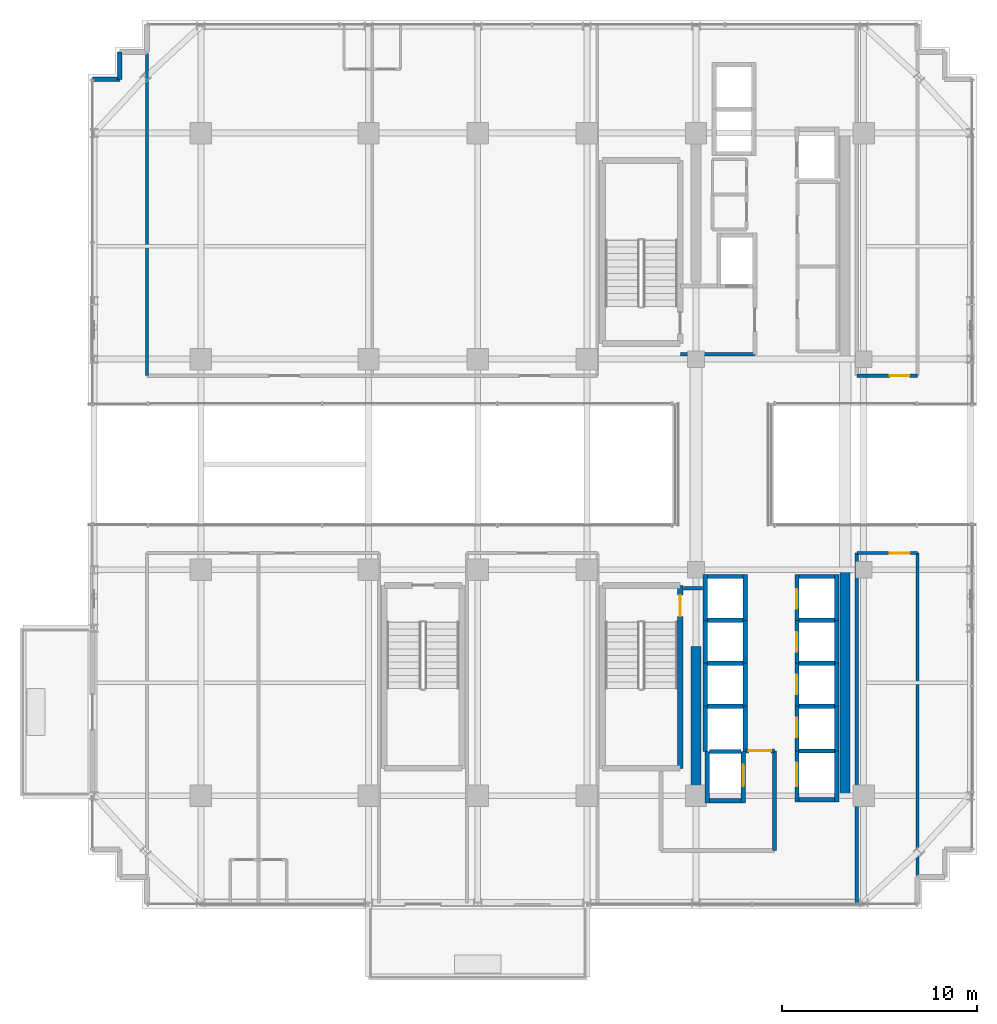
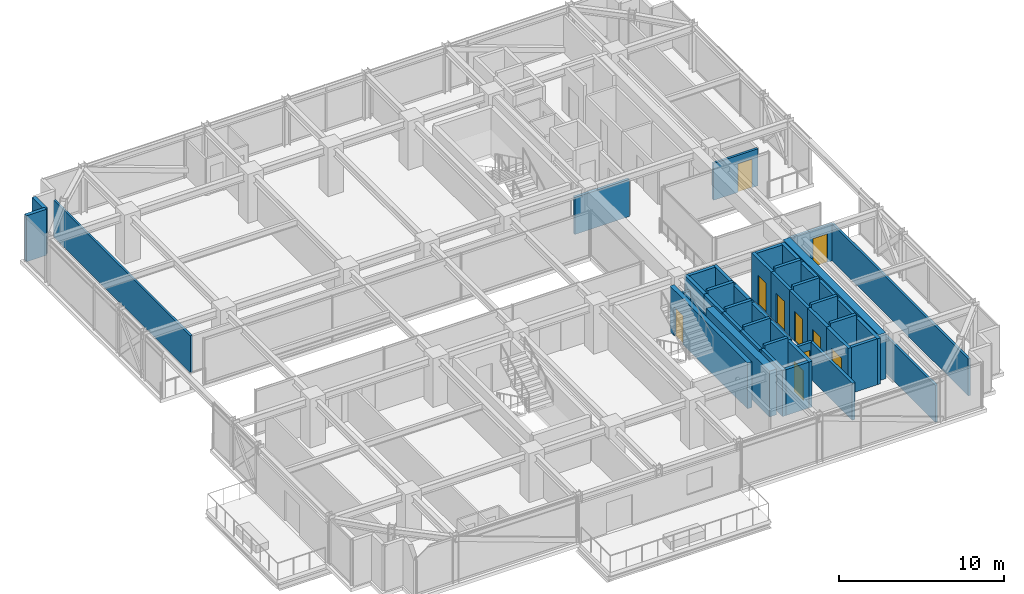
# One storey, part 29 of 35: 46 walls, 10 doors, 10 openings.
"""IFC4 building model written with IfcOpenShell, lengths in metres."""

from ifc_helpers import new_model, si_unit, direction, frame, frame_2d, origin, place, context, subcontext, project, spatial, rectangle, extrude, source, transform, mapped, material, layer, layer_set, type_object, element, fill, save


model = new_model("IFC4")

# Units and contexts
model_context = context("Model", 3, precision=1e-05, world=origin(), true_north=direction((0.0, 1.0)))
body_context = subcontext(model_context, "Body", "Model", "MODEL_VIEW")
ifc_project = project(units=[si_unit("LENGTHUNIT", "METRE"), si_unit("AREAUNIT", "SQUARE_METRE"), si_unit("VOLUMEUNIT", "CUBIC_METRE"), si_unit("PLANEANGLEUNIT", "RADIAN"), si_unit("MASSUNIT", "GRAM", prefix="KILO")], contexts=[model_context])

# Site, building, storey
site_placement = place(None, origin())
site = spatial("IfcSite", under=ifc_project, at=site_placement, CompositionType="ELEMENT")
building_placement = place(site_placement, origin())
building = spatial("IfcBuilding", under=site, at=building_placement, Name="Nahalor Promenade Grand Hotel", CompositionType="ELEMENT")
storey_placement = place(building_placement, frame((0.0, 0.0, 185.5)))
storey = spatial("IfcBuildingStorey", under=building, at=storey_placement, Name="L47", CompositionType="ELEMENT", Elevation=185.5)

# Walls
ifc_material_1 = material(Name="Concrete B-60 (C50/60)", Category="concrete")
ifc_layer_1 = layer(ifc_material_1, 0.5)
ifc_layer_set_1 = layer_set([ifc_layer_1], Name="Concrete B-60 (C50/60)")
wall_type_1 = type_object("IfcWallType", Name="Wall-CoreShear-500", PredefinedType="SHEAR", material=ifc_layer_set_1)
shared_shape_1 = source(origin(), body_context, "Body", "SweptSolid", [
    extrude(rectangle(XDim=7.64990234375, YDim=0.5, at=frame_2d((3.824951171875, 0.0))), origin(), (0.0, 0.0, 1.0), 3.389892578125),
])
wall_1_placement = place(storey_placement, frame((8.39990234375, -17.0, 0.0), z_axis=(0.0, 0.0, 1.0), x_axis=(0.0, 1.0, 0.0)))
element("IfcWall", 1, at=wall_1_placement, inside=storey, type_object=wall_type_1, Name="CWALL-L47-SW", PredefinedType="SHEAR", context=body_context, shape_type="MappedRepresentation", body=[
    mapped(shared_shape_1, transform((0.0, 0.0, 0.0), scale=1.0)),
])
shared_shape_2 = source(origin(), body_context, "Body", "SweptSolid", [
    extrude(rectangle(XDim=11.60009765625, YDim=0.5, at=frame_2d((5.800048828125, 0.0))), origin(), (0.0, 0.0, 1.0), 3.389892578125),
])
wall_2_placement = place(storey_placement, frame((16.050048828125, -17.0, 0.0), z_axis=(0.0, 0.0, 1.0), x_axis=(0.0, 1.0, 0.0)))
element("IfcWall", 2, at=wall_2_placement, inside=storey, type_object=wall_type_1, Name="CWALL-L47-SE", PredefinedType="SHEAR", context=body_context, shape_type="MappedRepresentation", body=[
    mapped(shared_shape_2, transform((0.0, 0.0, 0.0), scale=1.0)),
])

# Wall, opening, door
ifc_material_2 = material(Name="Concrete B-50 (C40/50)", Category="concrete")
ifc_layer_2 = layer(ifc_material_2, 0.300048828125)
ifc_layer_set_2 = layer_set([ifc_layer_2], Name="Concrete B-50 (C40/50)")
wall_type_2 = type_object("IfcWallType", Name="Wall-ShaftShear-300", PredefinedType="SHEAR", material=ifc_layer_set_2)
shared_shape_3 = source(origin(), body_context, "Body", "SweptSolid", [
    extrude(rectangle(XDim=9.380126953125, YDim=0.300048828125, at=frame_2d((4.68994140625, 0.0))), origin(), (0.0, 0.0, 1.0), 3.389892578125),
])
wall_3_placement = place(storey_placement, frame((7.590087890625, -15.590087890625, 0.0), z_axis=(0.0, 0.0, 1.0), x_axis=(0.0, 1.0, 0.0)))
wall_3 = element("IfcWall", 3, at=wall_3_placement, inside=storey, type_object=wall_type_2, Name="L47 Exit Stair ST2 Shaft Wall E", PredefinedType="SHEAR", context=body_context, shape_type="MappedRepresentation", body=[
    mapped(shared_shape_3, transform((0.0, 0.0, 0.0), scale=1.0)),
])
opening_1_placement = place(wall_3_placement, frame((7.7900390625, 0.0, 0.0)))
opening_1 = element("IfcOpeningElement", 4, at=opening_1_placement, cuts=wall_3, Name="Opening D-ST1", PredefinedType="OPENING", context=body_context, shape_type="SweptSolid", body=[
    extrude(rectangle(XDim=1.10009765625, YDim=2.14990234375, at=frame_2d((0.550048828125, 1.074951171875))), frame((0.0, 0.159912109375, 0.0), z_axis=(0.0, -1.0, 0.0), x_axis=(1.0, 0.0, 0.0)), (0.0, 0.0, 1.0), 0.320068359375),
])
ifc_material_3 = material(Name="Steel S355JR", Category="steel")
door_type_1 = type_object("IfcDoorType", Name="Door-StairFire-1100", OperationType="NOTDEFINED", PredefinedType="DOOR", material=ifc_material_3)
shared_shape_4 = source(origin(), body_context, "Body", "SweptSolid", [
    extrude(rectangle(XDim=1.10009765625, YDim=2.14990234375, at=frame_2d((0.550048828125, 1.074951171875))), frame((0.0, 0.02490234375, 0.0), z_axis=(0.0, -1.0, 0.0), x_axis=(1.0, 0.0, 0.0)), (0.0, 0.0, 1.0), 0.050048828125),
])
door_1_placement = place(opening_1_placement, origin())
door_1 = element("IfcDoor", 5, at=door_1_placement, inside=storey, type_object=door_type_1, Name="DR-STAIR-ST2-L47", OperationType="SINGLE_SWING_RIGHT", OverallHeight=2.14990234375, OverallWidth=1.10009765625, PredefinedType="DOOR", context=body_context, shape_type="MappedRepresentation", body=[
    mapped(shared_shape_4, transform((0.0, 0.0, 0.0), scale=1.0)),
])
fill(opening_1, door_1)

# Walls
ifc_layer_3 = layer(ifc_material_2, 0.219970703125)
ifc_layer_set_3 = layer_set([ifc_layer_3], Name="Concrete B-50 (C40/50)")
wall_type_3 = type_object("IfcWallType", Name="Wall-LiftShaft-220", PredefinedType="SHEAR", material=ifc_layer_set_3)
shared_shape_5 = source(origin(), body_context, "Body", "SweptSolid", [
    extrude(rectangle(XDim=1.820068359375, YDim=0.219970703125, at=frame_2d((0.91015625, 0.0))), origin(), (0.0, 0.0, 1.0), 3.64990234375),
])
for number, where, z_axis, x_axis, name in (
    (6, (13.68994140625, -8.0, 0.0), (0.0, 0.0, 1.0), (1.0, 0.0, 0.0), "L47 Lift PL6 Hoistway Wall N"),
    (7, (13.68994140625, -10.199951171875, 0.0), (0.0, 0.0, 1.0), (1.0, 0.0, 0.0), "L47 Lift PL7 Hoistway Wall N"),
    (8, (13.68994140625, -12.39990234375, 0.0), (0.0, 0.0, 1.0), (1.0, 0.0, 0.0), "L47 Lift PL8 Hoistway Wall N"),
    (9, (8.989990234375, -8.0, 0.0), (0.0, 0.0, 1.0), (1.0, 0.0, 0.0), "L47 Lift PL10 Hoistway Wall N"),
    (10, (8.989990234375, -10.199951171875, 0.0), (0.0, 0.0, 1.0), (1.0, 0.0, 0.0), "L47 Lift PL11 Hoistway Wall N"),
    (11, (8.989990234375, -12.39990234375, 0.0), (0.0, 0.0, 1.0), (1.0, 0.0, 0.0), "L47 Lift PL12 Hoistway Wall N"),
    (12, (13.68994140625, -14.699951171875, 0.0), (0.0, 0.0, 1.0), (1.0, 0.0, 0.0), "L47 Lift SV2 Hoistway Wall N"),
):
    element("IfcWall", number, at=place(storey_placement, frame(where, z_axis=z_axis, x_axis=x_axis)), inside=storey, type_object=wall_type_3, Name=name, PredefinedType="SHEAR", context=body_context, shape_type="MappedRepresentation", body=[
        mapped(shared_shape_5, transform((0.0, 0.0, 0.0), scale=1.0)),
    ])

# Wall, opening, door
shared_shape_6 = source(origin(), body_context, "Body", "SweptSolid", [
    extrude(rectangle(XDim=2.360107421875, YDim=0.219970703125, at=frame_2d((1.18017578125, 0.0))), origin(), (0.0, 0.0, 1.0), 3.389892578125),
])
wall_4_placement = place(storey_placement, frame((13.580078125, -8.0, 0.0), z_axis=(0.0, 0.0, 1.0), x_axis=(0.0, 1.0, 0.0)))
wall_4 = element("IfcWall", 13, at=wall_4_placement, inside=storey, type_object=wall_type_3, Name="L47 Lift PL5 Hoistway Wall W", PredefinedType="SHEAR", context=body_context, shape_type="MappedRepresentation", body=[
    mapped(shared_shape_6, transform((0.0, 0.0, 0.0), scale=1.0)),
])
opening_2_placement = place(wall_4_placement, frame((0.60009765625, 0.0, 0.0)))
opening_2 = element("IfcOpeningElement", 14, at=opening_2_placement, cuts=wall_4, Name="Opening LD-01", PredefinedType="OPENING", context=body_context, shape_type="SweptSolid", body=[
    extrude(rectangle(XDim=1.0, YDim=2.199951171875, at=frame_2d((0.5, 1.10009765625))), frame((0.0, 0.119873046875, 0.0), z_axis=(0.0, -1.0, 0.0), x_axis=(1.0, 0.0, 0.0)), (0.0, 0.0, 1.0), 0.239990234375),
])
door_type_2 = type_object("IfcDoorType", Name="Door-LiftLanding-1000", OperationType="DOUBLE_DOOR_SLIDING", PredefinedType="DOOR", material=ifc_material_3)
shared_shape_7 = source(origin(), body_context, "Body", "SweptSolid", [
    extrude(rectangle(XDim=1.0, YDim=2.199951171875, at=frame_2d((0.5, 1.10009765625))), frame((0.0, 0.02490234375, 0.0), z_axis=(0.0, -1.0, 0.0), x_axis=(1.0, 0.0, 0.0)), (0.0, 0.0, 1.0), 0.050048828125),
])
door_2_placement = place(opening_2_placement, origin())
door_2 = element("IfcDoor", 15, at=door_2_placement, inside=storey, type_object=door_type_2, Name="DR-LIFT-PL5-L47", OperationType="DOUBLE_DOOR_SLIDING", OverallHeight=2.199951171875, OverallWidth=1.0, PredefinedType="DOOR", context=body_context, shape_type="MappedRepresentation", body=[
    mapped(shared_shape_7, transform((0.0, 0.0, 0.0), scale=1.0)),
])
fill(opening_2, door_2)

# Walls
for number, where, z_axis, x_axis, name in (
    (16, (15.6201171875, -8.0, 0.0), (0.0, 0.0, 1.0), (0.0, 1.0, 0.0), "L47 Lift PL5 Hoistway Wall E"),
    (17, (8.8798828125, -8.0, 0.0), (0.0, 0.0, 1.0), (0.0, 1.0, 0.0), "L47 Lift PL9 Hoistway Wall W"),
    (18, (10.919921875, -8.0, 0.0), (0.0, 0.0, 1.0), (0.0, 1.0, 0.0), "L47 Lift PL9 Hoistway Wall E"),
):
    element("IfcWall", number, at=place(storey_placement, frame(where, z_axis=z_axis, x_axis=x_axis)), inside=storey, type_object=wall_type_3, Name=name, PredefinedType="SHEAR", context=body_context, shape_type="MappedRepresentation", body=[
        mapped(shared_shape_6, transform((0.0, 0.0, 0.0), scale=1.0)),
    ])
shared_shape_8 = source(origin(), body_context, "Body", "SweptSolid", [
    extrude(rectangle(XDim=1.820068359375, YDim=0.219970703125, at=frame_2d((0.91015625, 0.0))), origin(), (0.0, 0.0, 1.0), 3.389892578125),
])
for number, where, z_axis, x_axis, name in (
    (19, (13.68994140625, -5.75, 0.0), (0.0, 0.0, 1.0), (1.0, 0.0, 0.0), "L47 Lift PL5 Hoistway Wall N"),
    (20, (8.989990234375, -5.75, 0.0), (0.0, 0.0, 1.0), (1.0, 0.0, 0.0), "L47 Lift PL9 Hoistway Wall N"),
    (21, (13.68994140625, -17.199951171875, 0.0), (0.0, 0.0, 1.0), (1.0, 0.0, 0.0), "L47 Lift SV2 Hoistway Wall S"),
):
    element("IfcWall", number, at=place(storey_placement, frame(where, z_axis=z_axis, x_axis=x_axis)), inside=storey, type_object=wall_type_3, Name=name, PredefinedType="SHEAR", context=body_context, shape_type="MappedRepresentation", body=[
        mapped(shared_shape_8, transform((0.0, 0.0, 0.0), scale=1.0)),
    ])

# Wall, opening, door
shared_shape_9 = source(origin(), body_context, "Body", "SweptSolid", [
    extrude(rectangle(XDim=2.199951171875, YDim=0.219970703125, at=frame_2d((1.10009765625, 0.0))), origin(), (0.0, 0.0, 1.0), 3.389892578125),
])
wall_5_placement = place(storey_placement, frame((13.580078125, -10.199951171875, 0.0), z_axis=(0.0, 0.0, 1.0), x_axis=(0.0, 1.0, 0.0)))
wall_5 = element("IfcWall", 22, at=wall_5_placement, inside=storey, type_object=wall_type_3, Name="L47 Lift PL6 Hoistway Wall W", PredefinedType="SHEAR", context=body_context, shape_type="MappedRepresentation", body=[
    mapped(shared_shape_9, transform((0.0, 0.0, 0.0), scale=1.0)),
])
opening_3_placement = place(wall_5_placement, frame((0.60009765625, 0.0, 0.0)))
opening_3 = element("IfcOpeningElement", 23, at=opening_3_placement, cuts=wall_5, Name="Opening LD-01", PredefinedType="OPENING", context=body_context, shape_type="SweptSolid", body=[
    extrude(rectangle(XDim=1.0, YDim=2.199951171875, at=frame_2d((0.5, 1.10009765625))), frame((0.0, 0.119873046875, 0.0), z_axis=(0.0, -1.0, 0.0), x_axis=(1.0, 0.0, 0.0)), (0.0, 0.0, 1.0), 0.239990234375),
])
door_3_placement = place(opening_3_placement, origin())
door_3 = element("IfcDoor", 24, at=door_3_placement, inside=storey, type_object=door_type_2, Name="DR-LIFT-PL6-L47", OperationType="DOUBLE_DOOR_SLIDING", OverallHeight=2.199951171875, OverallWidth=1.0, PredefinedType="DOOR", context=body_context, shape_type="MappedRepresentation", body=[
    mapped(shared_shape_7, transform((0.0, 0.0, 0.0), scale=1.0)),
])
fill(opening_3, door_3)

# Wall
wall_6_placement = place(storey_placement, frame((15.6201171875, -10.199951171875, 0.0), z_axis=(0.0, 0.0, 1.0), x_axis=(0.0, 1.0, 0.0)))
element("IfcWall", 25, at=wall_6_placement, inside=storey, type_object=wall_type_3, Name="L47 Lift PL6 Hoistway Wall E", PredefinedType="SHEAR", context=body_context, shape_type="MappedRepresentation", body=[
    mapped(shared_shape_9, transform((0.0, 0.0, 0.0), scale=1.0)),
])

# Wall, opening, door
wall_7_placement = place(storey_placement, frame((13.580078125, -12.39990234375, 0.0), z_axis=(0.0, 0.0, 1.0), x_axis=(0.0, 1.0, 0.0)))
wall_7 = element("IfcWall", 26, at=wall_7_placement, inside=storey, type_object=wall_type_3, Name="L47 Lift PL7 Hoistway Wall W", PredefinedType="SHEAR", context=body_context, shape_type="MappedRepresentation", body=[
    mapped(shared_shape_9, transform((0.0, 0.0, 0.0), scale=1.0)),
])
opening_4_placement = place(wall_7_placement, frame((0.60009765625, 0.0, 0.0)))
opening_4 = element("IfcOpeningElement", 27, at=opening_4_placement, cuts=wall_7, Name="Opening LD-01", PredefinedType="OPENING", context=body_context, shape_type="SweptSolid", body=[
    extrude(rectangle(XDim=1.0, YDim=2.199951171875, at=frame_2d((0.5, 1.10009765625))), frame((0.0, 0.119873046875, 0.0), z_axis=(0.0, -1.0, 0.0), x_axis=(1.0, 0.0, 0.0)), (0.0, 0.0, 1.0), 0.239990234375),
])
door_4_placement = place(opening_4_placement, origin())
door_4 = element("IfcDoor", 28, at=door_4_placement, inside=storey, type_object=door_type_2, Name="DR-LIFT-PL7-L47", OperationType="DOUBLE_DOOR_SLIDING", OverallHeight=2.199951171875, OverallWidth=1.0, PredefinedType="DOOR", context=body_context, shape_type="MappedRepresentation", body=[
    mapped(shared_shape_7, transform((0.0, 0.0, 0.0), scale=1.0)),
])
fill(opening_4, door_4)

# Walls
for number, where, z_axis, x_axis, name in (
    (29, (15.6201171875, -12.39990234375, 0.0), (0.0, 0.0, 1.0), (0.0, 1.0, 0.0), "L47 Lift PL7 Hoistway Wall E"),
    (30, (8.8798828125, -10.199951171875, 0.0), (0.0, 0.0, 1.0), (0.0, 1.0, 0.0), "L47 Lift PL10 Hoistway Wall W"),
    (31, (10.919921875, -10.199951171875, 0.0), (0.0, 0.0, 1.0), (0.0, 1.0, 0.0), "L47 Lift PL10 Hoistway Wall E"),
    (32, (8.8798828125, -12.39990234375, 0.0), (0.0, 0.0, 1.0), (0.0, 1.0, 0.0), "L47 Lift PL11 Hoistway Wall W"),
    (33, (10.919921875, -12.39990234375, 0.0), (0.0, 0.0, 1.0), (0.0, 1.0, 0.0), "L47 Lift PL11 Hoistway Wall E"),
):
    element("IfcWall", number, at=place(storey_placement, frame(where, z_axis=z_axis, x_axis=x_axis)), inside=storey, type_object=wall_type_3, Name=name, PredefinedType="SHEAR", context=body_context, shape_type="MappedRepresentation", body=[
        mapped(shared_shape_9, transform((0.0, 0.0, 0.0), scale=1.0)),
    ])

# Wall, opening, door
shared_shape_10 = source(origin(), body_context, "Body", "SweptSolid", [
    extrude(rectangle(XDim=2.300048828125, YDim=0.219970703125, at=frame_2d((1.14990234375, 0.0))), origin(), (0.0, 0.0, 1.0), 3.389892578125),
])
wall_8_placement = place(storey_placement, frame((13.580078125, -14.699951171875, 0.0), z_axis=(0.0, 0.0, 1.0), x_axis=(0.0, 1.0, 0.0)))
wall_8 = element("IfcWall", 34, at=wall_8_placement, inside=storey, type_object=wall_type_3, Name="L47 Lift PL8 Hoistway Wall W", PredefinedType="SHEAR", context=body_context, shape_type="MappedRepresentation", body=[
    mapped(shared_shape_10, transform((0.0, 0.0, 0.0), scale=1.0)),
])
opening_5_placement = place(wall_8_placement, frame((0.699951171875, 0.0, 0.0)))
opening_5 = element("IfcOpeningElement", 35, at=opening_5_placement, cuts=wall_8, Name="Opening LD-01", PredefinedType="OPENING", context=body_context, shape_type="SweptSolid", body=[
    extrude(rectangle(XDim=1.0, YDim=2.199951171875, at=frame_2d((0.5, 1.10009765625))), frame((0.0, 0.119873046875, 0.0), z_axis=(0.0, -1.0, 0.0), x_axis=(1.0, 0.0, 0.0)), (0.0, 0.0, 1.0), 0.239990234375),
])
door_5_placement = place(opening_5_placement, origin())
door_5 = element("IfcDoor", 36, at=door_5_placement, inside=storey, type_object=door_type_2, Name="DR-LIFT-PL8-L47", OperationType="DOUBLE_DOOR_SLIDING", OverallHeight=2.199951171875, OverallWidth=1.0, PredefinedType="DOOR", context=body_context, shape_type="MappedRepresentation", body=[
    mapped(shared_shape_7, transform((0.0, 0.0, 0.0), scale=1.0)),
])
fill(opening_5, door_5)

# Walls
wall_9_placement = place(storey_placement, frame((15.6201171875, -14.699951171875, 0.0), z_axis=(0.0, 0.0, 1.0), x_axis=(0.0, 1.0, 0.0)))
element("IfcWall", 37, at=wall_9_placement, inside=storey, type_object=wall_type_3, Name="L47 Lift PL8 Hoistway Wall E", PredefinedType="SHEAR", context=body_context, shape_type="MappedRepresentation", body=[
    mapped(shared_shape_10, transform((0.0, 0.0, 0.0), scale=1.0)),
])
shared_shape_11 = source(origin(), body_context, "Body", "SweptSolid", [
    extrude(rectangle(XDim=2.3251953125, YDim=0.219970703125, at=frame_2d((1.16259765625, 0.0))), origin(), (0.0, 0.0, 1.0), 3.389892578125),
])
for number, where, z_axis, x_axis, name in (
    (38, (8.8798828125, -14.72509765625, 0.0), (0.0, 0.0, 1.0), (0.0, 1.0, 0.0), "L47 Lift PL12 Hoistway Wall W"),
    (39, (10.919921875, -14.72509765625, 0.0), (0.0, 0.0, 1.0), (0.0, 1.0, 0.0), "L47 Lift PL12 Hoistway Wall E"),
):
    element("IfcWall", number, at=place(storey_placement, frame(where, z_axis=z_axis, x_axis=x_axis)), inside=storey, type_object=wall_type_3, Name=name, PredefinedType="SHEAR", context=body_context, shape_type="MappedRepresentation", body=[
        mapped(shared_shape_11, transform((0.0, 0.0, 0.0), scale=1.0)),
    ])
shared_shape_12 = source(origin(), body_context, "Body", "SweptSolid", [
    extrude(rectangle(XDim=1.619873046875, YDim=0.219970703125, at=frame_2d((0.81005859375, 0.0))), origin(), (0.0, 0.0, 1.0), 3.64990234375),
])
wall_10_placement = place(storey_placement, frame((9.090087890625, -14.72509765625, 0.0), z_axis=(0.0, 0.0, 1.0), x_axis=(1.0, 0.0, 0.0)))
element("IfcWall", 40, at=wall_10_placement, inside=storey, type_object=wall_type_3, Name="L47 Lift FL2 Hoistway Wall N", PredefinedType="SHEAR", context=body_context, shape_type="MappedRepresentation", body=[
    mapped(shared_shape_12, transform((0.0, 0.0, 0.0), scale=1.0)),
])
shared_shape_13 = source(origin(), body_context, "Body", "SweptSolid", [
    extrude(rectangle(XDim=2.635009765625, YDim=0.219970703125, at=frame_2d((1.3173828125, 0.0))), origin(), (0.0, 0.0, 1.0), 3.389892578125),
])
wall_11_placement = place(storey_placement, frame((8.97998046875, -17.360107421875, 0.0), z_axis=(0.0, 0.0, 1.0), x_axis=(0.0, 1.0, 0.0)))
element("IfcWall", 41, at=wall_11_placement, inside=storey, type_object=wall_type_3, Name="L47 Lift FL2 Hoistway Wall W", PredefinedType="SHEAR", context=body_context, shape_type="MappedRepresentation", body=[
    mapped(shared_shape_13, transform((0.0, 0.0, 0.0), scale=1.0)),
])

# Wall, opening, door
wall_12_placement = place(storey_placement, frame((10.820068359375, -17.360107421875, 0.0), z_axis=(0.0, 0.0, 1.0), x_axis=(0.0, 1.0, 0.0)))
wall_12 = element("IfcWall", 42, at=wall_12_placement, inside=storey, type_object=wall_type_3, Name="L47 Lift FL2 Hoistway Wall E", PredefinedType="SHEAR", context=body_context, shape_type="MappedRepresentation", body=[
    mapped(shared_shape_13, transform((0.0, 0.0, 0.0), scale=1.0)),
])
opening_6_placement = place(wall_12_placement, frame((0.860107421875, 0.0, 0.0)))
opening_6 = element("IfcOpeningElement", 43, at=opening_6_placement, cuts=wall_12, Name="Opening LD-02", PredefinedType="OPENING", context=body_context, shape_type="SweptSolid", body=[
    extrude(rectangle(XDim=1.10009765625, YDim=2.199951171875, at=frame_2d((0.550048828125, 1.10009765625))), frame((0.0, 0.119873046875, 0.0), z_axis=(0.0, -1.0, 0.0), x_axis=(1.0, 0.0, 0.0)), (0.0, 0.0, 1.0), 0.239990234375),
])
door_type_3 = type_object("IfcDoorType", Name="Door-LiftFF-1100", OperationType="DOUBLE_DOOR_SLIDING", PredefinedType="DOOR", material=ifc_material_3)
shared_shape_14 = source(origin(), body_context, "Body", "SweptSolid", [
    extrude(rectangle(XDim=1.10009765625, YDim=2.199951171875, at=frame_2d((0.550048828125, 1.10009765625))), frame((0.0, 0.02490234375, 0.0), z_axis=(0.0, -1.0, 0.0), x_axis=(1.0, 0.0, 0.0)), (0.0, 0.0, 1.0), 0.050048828125),
])
door_6_placement = place(opening_6_placement, frame((1.10009765625, 0.0, 0.0), z_axis=(0.0, 0.0, 1.0), x_axis=(-1.0, 0.0, 0.0)))
door_6 = element("IfcDoor", 44, at=door_6_placement, inside=storey, type_object=door_type_3, Name="DR-LIFT-FL2-L47", OperationType="DOUBLE_DOOR_SLIDING", OverallHeight=2.199951171875, OverallWidth=1.10009765625, PredefinedType="DOOR", context=body_context, shape_type="MappedRepresentation", body=[
    mapped(shared_shape_14, transform((0.0, 0.0, 0.0), scale=1.0)),
])
fill(opening_6, door_6)

# Wall
shared_shape_15 = source(origin(), body_context, "Body", "SweptSolid", [
    extrude(rectangle(XDim=1.619873046875, YDim=0.219970703125, at=frame_2d((0.81005859375, 0.0))), origin(), (0.0, 0.0, 1.0), 3.389892578125),
])
wall_13_placement = place(storey_placement, frame((9.090087890625, -17.25, 0.0), z_axis=(0.0, 0.0, 1.0), x_axis=(1.0, 0.0, 0.0)))
element("IfcWall", 45, at=wall_13_placement, inside=storey, type_object=wall_type_3, Name="L47 Lift FL2 Hoistway Wall S", PredefinedType="SHEAR", context=body_context, shape_type="MappedRepresentation", body=[
    mapped(shared_shape_15, transform((0.0, 0.0, 0.0), scale=1.0)),
])

# Wall, opening, door
shared_shape_16 = source(origin(), body_context, "Body", "SweptSolid", [
    extrude(rectangle(XDim=2.610107421875, YDim=0.219970703125, at=frame_2d((1.30517578125, 0.0))), origin(), (0.0, 0.0, 1.0), 3.389892578125),
])
wall_14_placement = place(storey_placement, frame((13.580078125, -17.31005859375, 0.0), z_axis=(0.0, 0.0, 1.0), x_axis=(0.0, 1.0, 0.0)))
wall_14 = element("IfcWall", 46, at=wall_14_placement, inside=storey, type_object=wall_type_3, Name="L47 Lift SV2 Hoistway Wall W", PredefinedType="SHEAR", context=body_context, shape_type="MappedRepresentation", body=[
    mapped(shared_shape_16, transform((0.0, 0.0, 0.0), scale=1.0)),
])
opening_7_placement = place(wall_14_placement, frame((0.81005859375, 0.0, 0.0)))
opening_7 = element("IfcOpeningElement", 47, at=opening_7_placement, cuts=wall_14, Name="Opening LD-03", PredefinedType="OPENING", context=body_context, shape_type="SweptSolid", body=[
    extrude(rectangle(XDim=1.199951171875, YDim=2.199951171875, at=frame_2d((0.60009765625, 1.10009765625))), frame((0.0, 0.119873046875, 0.0), z_axis=(0.0, -1.0, 0.0), x_axis=(1.0, 0.0, 0.0)), (0.0, 0.0, 1.0), 0.239990234375),
])
door_type_4 = type_object("IfcDoorType", Name="Door-LiftService-1200", OperationType="DOUBLE_DOOR_SLIDING", PredefinedType="DOOR", material=ifc_material_3)
shared_shape_17 = source(origin(), body_context, "Body", "SweptSolid", [
    extrude(rectangle(XDim=1.199951171875, YDim=2.199951171875, at=frame_2d((0.60009765625, 1.10009765625))), frame((0.0, 0.02490234375, 0.0), z_axis=(0.0, -1.0, 0.0), x_axis=(1.0, 0.0, 0.0)), (0.0, 0.0, 1.0), 0.050048828125),
])
door_7_placement = place(opening_7_placement, origin())
door_7 = element("IfcDoor", 48, at=door_7_placement, inside=storey, type_object=door_type_4, Name="DR-LIFT-SV2-L47", OperationType="DOUBLE_DOOR_SLIDING", OverallHeight=2.199951171875, OverallWidth=1.199951171875, PredefinedType="DOOR", context=body_context, shape_type="MappedRepresentation", body=[
    mapped(shared_shape_17, transform((0.0, 0.0, 0.0), scale=1.0)),
])
fill(opening_7, door_7)

# Walls
wall_15_placement = place(storey_placement, frame((15.6201171875, -17.31005859375, 0.0), z_axis=(0.0, 0.0, 1.0), x_axis=(0.0, 1.0, 0.0)))
element("IfcWall", 49, at=wall_15_placement, inside=storey, type_object=wall_type_3, Name="L47 Lift SV2 Hoistway Wall E", PredefinedType="SHEAR", context=body_context, shape_type="MappedRepresentation", body=[
    mapped(shared_shape_16, transform((0.0, 0.0, 0.0), scale=1.0)),
])
ifc_material_4 = material(Name="Concrete B-40 (C32/40)", Category="concrete")
ifc_layer_4 = layer(ifc_material_4, 0.25)
ifc_layer_set_4 = layer_set([ifc_layer_4], Name="Concrete B-40 (C32/40)")
wall_type_4 = type_object("IfcWallType", Name="Wall-BronzePier-250", PredefinedType="STANDARD", material=ifc_layer_set_4)
shared_shape_18 = source(origin(), body_context, "Body", "SweptSolid", [
    extrude(rectangle(XDim=1.400146484375, YDim=0.25, at=frame_2d((0.7001953125, 0.0))), origin(), (0.0, 0.0, 1.0), 3.389892578125),
])
wall_16_placement = place(storey_placement, frame((-22.56005859375, 19.760009765625, 0.0), z_axis=(0.0, 0.0, 1.0), x_axis=(1.0, 0.0, 0.0)))
element("IfcWall", 50, at=wall_16_placement, inside=storey, type_object=wall_type_4, Name="W-L47-SR-12", PredefinedType="STANDARD", context=body_context, shape_type="MappedRepresentation", body=[
    mapped(shared_shape_18, transform((0.0, 0.0, 0.0), scale=1.0)),
])
shared_shape_19 = source(origin(), body_context, "Body", "SweptSolid", [
    extrude(rectangle(XDim=1.39990234375, YDim=0.25, at=frame_2d((0.699951171875, 0.0))), origin(), (0.0, 0.0, 1.0), 3.389892578125),
])
wall_17_placement = place(storey_placement, frame((-21.159912109375, 19.760009765625, 0.0), z_axis=(0.0, 0.0, 1.0), x_axis=(0.0, 1.0, 0.0)))
element("IfcWall", 51, at=wall_17_placement, inside=storey, type_object=wall_type_4, Name="W-L47-SR-11", PredefinedType="STANDARD", context=body_context, shape_type="MappedRepresentation", body=[
    mapped(shared_shape_19, transform((0.0, 0.0, 0.0), scale=1.0)),
])
ifc_layer_5 = layer(ifc_material_4, 0.199951171875)
ifc_layer_set_5 = layer_set([ifc_layer_5], Name="Concrete B-40 (C32/40)")
wall_type_5 = type_object("IfcWallType", Name="Wall-PartFire-200", PredefinedType="PARTITIONING", material=ifc_layer_set_5)
shared_shape_20 = source(origin(), body_context, "Body", "SweptSolid", [
    extrude(rectangle(XDim=3.81982421875, YDim=0.199951171875, at=frame_2d((1.909912109375, 0.0))), origin(), (0.0, 0.0, 1.0), 2.72998046875),
])
wall_18_placement = place(storey_placement, frame((7.60009765625, 5.64990234375, 0.0), z_axis=(0.0, 0.0, 1.0), x_axis=(1.0, 0.0, 0.0)))
element("IfcWall", 52, at=wall_18_placement, inside=storey, type_object=wall_type_5, Name="W-L47-FF1-S", PredefinedType="PARTITIONING", context=body_context, shape_type="MappedRepresentation", body=[
    mapped(shared_shape_20, transform((0.0, 0.0, 0.0), scale=1.0)),
])
shared_shape_21 = source(origin(), body_context, "Body", "SweptSolid", [
    extrude(rectangle(XDim=5.10009765625, YDim=0.199951171875, at=frame_2d((2.550048828125, 0.0))), origin(), (0.0, 0.0, 1.0), 2.72998046875),
])
wall_19_placement = place(storey_placement, frame((12.419921875, -19.800048828125, 0.0), z_axis=(0.0, 0.0, 1.0), x_axis=(0.0, 1.0, 0.0)))
element("IfcWall", 53, at=wall_19_placement, inside=storey, type_object=wall_type_5, Name="W-L47-FF2-E", PredefinedType="PARTITIONING", context=body_context, shape_type="MappedRepresentation", body=[
    mapped(shared_shape_21, transform((0.0, 0.0, 0.0), scale=1.0)),
])

# Wall, opening, door
shared_shape_22 = source(origin(), body_context, "Body", "SweptSolid", [
    extrude(rectangle(XDim=1.4599609375, YDim=0.199951171875, at=frame_2d((0.72998046875, 0.0))), origin(), (0.0, 0.0, 1.0), 2.72998046875),
])
wall_20_placement = place(storey_placement, frame((10.9599609375, -14.699951171875, 0.0), z_axis=(0.0, 0.0, 1.0), x_axis=(1.0, 0.0, 0.0)))
wall_20 = element("IfcWall", 54, at=wall_20_placement, inside=storey, type_object=wall_type_5, Name="W-L47-FF2-N1", PredefinedType="PARTITIONING", context=body_context, shape_type="MappedRepresentation", body=[
    mapped(shared_shape_22, transform((0.0, 0.0, 0.0), scale=1.0)),
])
opening_8_placement = place(wall_20_placement, frame((0.14501953125, 0.0, 0.0)))
opening_8 = element("IfcOpeningElement", 55, at=opening_8_placement, cuts=wall_20, Name="Opening D-FF1", PredefinedType="OPENING", context=body_context, shape_type="SweptSolid", body=[
    extrude(rectangle(XDim=1.14990234375, YDim=2.14990234375, at=frame_2d((0.574951171875, 1.074951171875))), frame((0.0, 0.10986328125, 0.0), z_axis=(0.0, -1.0, 0.0), x_axis=(1.0, 0.0, 0.0)), (0.0, 0.0, 1.0), 0.219970703125),
])
door_type_5 = type_object("IfcDoorType", Name="Door-FFLobby-1150", OperationType="NOTDEFINED", PredefinedType="DOOR", material=ifc_material_3)
shared_shape_23 = source(origin(), body_context, "Body", "SweptSolid", [
    extrude(rectangle(XDim=1.14990234375, YDim=2.14990234375, at=frame_2d((0.574951171875, 1.074951171875))), frame((0.0, 0.02490234375, 0.0), z_axis=(0.0, -1.0, 0.0), x_axis=(1.0, 0.0, 0.0)), (0.0, 0.0, 1.0), 0.050048828125),
])
door_8_placement = place(opening_8_placement, origin())
door_8 = element("IfcDoor", 56, at=door_8_placement, inside=storey, type_object=door_type_5, Name="DR-L47-FFL2", OperationType="SINGLE_SWING_RIGHT", OverallHeight=2.14990234375, OverallWidth=1.14990234375, PredefinedType="DOOR", context=body_context, shape_type="MappedRepresentation", body=[
    mapped(shared_shape_23, transform((0.0, 0.0, 0.0), scale=1.0)),
])
fill(opening_8, door_8)

# Wall
shared_shape_24 = source(origin(), body_context, "Body", "SweptSolid", [
    extrude(rectangle(XDim=0.969970703125, YDim=0.199951171875, at=frame_2d((0.48486328125, 0.0))), origin(), (0.0, 0.0, 1.0), 2.72998046875),
])
wall_21_placement = place(storey_placement, frame((7.77001953125, -6.35009765625, 0.0), z_axis=(0.0, 0.0, 1.0), x_axis=(1.0, 0.0, 0.0)))
element("IfcWall", 57, at=wall_21_placement, inside=storey, type_object=wall_type_5, Name="W-L47-FF2-N2", PredefinedType="PARTITIONING", context=body_context, shape_type="MappedRepresentation", body=[
    mapped(shared_shape_24, transform((0.0, 0.0, 0.0), scale=1.0)),
])

# Wall, opening, door
ifc_material_5 = material(Name="Acoustic Mineral Gypsum", Category="gypsum")
ifc_layer_6 = layer(ifc_material_5, 0.159912109375)
ifc_layer_set_6 = layer_set([ifc_layer_6], Name="Acoustic Mineral Gypsum")
wall_type_6 = type_object("IfcWallType", Name="Wall-PartCorridor-160", PredefinedType="PARTITIONING", material=ifc_layer_set_6)
shared_shape_25 = source(origin(), body_context, "Body", "SweptSolid", [
    extrude(rectangle(XDim=3.110107421875, YDim=0.159912109375, at=frame_2d((1.55517578125, 0.0))), origin(), (0.0, 0.0, 1.0), 2.72998046875),
])
wall_22_placement = place(storey_placement, frame((16.64990234375, 4.550048828125, 0.0), z_axis=(0.0, 0.0, 1.0), x_axis=(1.0, 0.0, 0.0)))
wall_22 = element("IfcWall", 58, at=wall_22_placement, inside=storey, type_object=wall_type_6, Name="W-L47-ENE-S", PredefinedType="PARTITIONING", context=body_context, shape_type="MappedRepresentation", body=[
    mapped(shared_shape_25, transform((0.0, 0.0, 0.0), scale=1.0)),
])
opening_9_placement = place(wall_22_placement, frame((1.700927734375, 0.0, 0.0)))
opening_9 = element("IfcOpeningElement", 59, at=opening_9_placement, cuts=wall_22, Name="Opening D-04", PredefinedType="OPENING", context=body_context, shape_type="SweptSolid", body=[
    extrude(rectangle(XDim=1.0, YDim=2.10009765625, at=frame_2d((0.5, 1.050048828125))), frame((0.0, 0.08984375, 0.0), z_axis=(0.0, -1.0, 0.0), x_axis=(1.0, 0.0, 0.0)), (0.0, 0.0, 1.0), 0.179931640625),
])
door_type_6 = type_object("IfcDoorType", Name="Door-ServiceFire-1000", OperationType="NOTDEFINED", PredefinedType="DOOR", material=ifc_material_3)
shared_shape_26 = source(origin(), body_context, "Body", "SweptSolid", [
    extrude(rectangle(XDim=1.0, YDim=2.10009765625, at=frame_2d((0.5, 1.050048828125))), frame((0.0, 0.02490234375, 0.0), z_axis=(0.0, -1.0, 0.0), x_axis=(1.0, 0.0, 0.0)), (0.0, 0.0, 1.0), 0.050048828125),
])
door_9_placement = place(opening_9_placement, origin())
door_9 = element("IfcDoor", 60, at=door_9_placement, inside=storey, type_object=door_type_6, Name="DR-L47-ENE", OperationType="SINGLE_SWING_LEFT", OverallHeight=2.10009765625, OverallWidth=1.0, PredefinedType="DOOR", context=body_context, shape_type="MappedRepresentation", body=[
    mapped(shared_shape_26, transform((0.0, 0.0, 0.0), scale=1.0)),
])
fill(opening_9, door_9)

wall_23_placement = place(storey_placement, frame((16.64990234375, -4.550048828125, 0.0), z_axis=(0.0, 0.0, 1.0), x_axis=(1.0, 0.0, 0.0)))
wall_23 = element("IfcWall", 61, at=wall_23_placement, inside=storey, type_object=wall_type_6, Name="W-L47-ESE-N", PredefinedType="PARTITIONING", context=body_context, shape_type="MappedRepresentation", body=[
    mapped(shared_shape_25, transform((0.0, 0.0, 0.0), scale=1.0)),
])
opening_10_placement = place(wall_23_placement, frame((1.700927734375, 0.0, 0.0)))
opening_10 = element("IfcOpeningElement", 62, at=opening_10_placement, cuts=wall_23, Name="Opening D-04", PredefinedType="OPENING", context=body_context, shape_type="SweptSolid", body=[
    extrude(rectangle(XDim=1.0, YDim=2.10009765625, at=frame_2d((0.5, 1.050048828125))), frame((0.0, 0.08984375, 0.0), z_axis=(0.0, -1.0, 0.0), x_axis=(1.0, 0.0, 0.0)), (0.0, 0.0, 1.0), 0.179931640625),
])
door_10_placement = place(opening_10_placement, frame((1.0, 0.0, 0.0), z_axis=(0.0, 0.0, 1.0), x_axis=(-1.0, 0.0, 0.0)))
door_10 = element("IfcDoor", 63, at=door_10_placement, inside=storey, type_object=door_type_6, Name="DR-L47-ESE", OperationType="SINGLE_SWING_RIGHT", OverallHeight=2.10009765625, OverallWidth=1.0, PredefinedType="DOOR", context=body_context, shape_type="MappedRepresentation", body=[
    mapped(shared_shape_26, transform((0.0, 0.0, 0.0), scale=1.0)),
])
fill(opening_10, door_10)

# Walls
shared_shape_27 = source(origin(), body_context, "Body", "SweptSolid", [
    extrude(rectangle(XDim=17.949951171875, YDim=0.159912109375, at=frame_2d((8.97509765625, 0.0))), origin(), (0.0, 0.0, 1.0), 2.72998046875),
])
wall_24_placement = place(storey_placement, frame((16.64990234375, -22.5, 0.0), z_axis=(0.0, 0.0, 1.0), x_axis=(0.0, 1.0, 0.0)))
element("IfcWall", 64, at=wall_24_placement, inside=storey, type_object=wall_type_6, Name="W-L47-ESE-W", PredefinedType="PARTITIONING", context=body_context, shape_type="MappedRepresentation", body=[
    mapped(shared_shape_27, transform((0.0, 0.0, 0.0), scale=1.0)),
])
shared_shape_28 = source(origin(), body_context, "Body", "SweptSolid", [
    extrude(rectangle(XDim=16.530029296875, YDim=0.159912109375, at=frame_2d((8.26513671875, 0.0))), origin(), (0.0, 0.0, 1.0), 2.72998046875),
])
wall_25_placement = place(storey_placement, frame((19.760009765625, -21.080078125, 0.0), z_axis=(0.0, 0.0, 1.0), x_axis=(0.0, 1.0, 0.0)))
element("IfcWall", 65, at=wall_25_placement, inside=storey, type_object=wall_type_6, Name="W-L47-ESE-E", PredefinedType="PARTITIONING", context=body_context, shape_type="MappedRepresentation", body=[
    mapped(shared_shape_28, transform((0.0, 0.0, 0.0), scale=1.0)),
])
ifc_layer_7 = layer(ifc_material_5, 0.139892578125)
ifc_layer_set_7 = layer_set([ifc_layer_7], Name="Acoustic Mineral Gypsum")
wall_type_7 = type_object("IfcWallType", Name="Wall-PartSuite-140", PredefinedType="PARTITIONING", material=ifc_layer_set_7)
shared_shape_29 = source(origin(), body_context, "Body", "SweptSolid", [
    extrude(rectangle(XDim=16.530029296875, YDim=0.139892578125, at=frame_2d((8.26513671875, 0.0))), origin(), (0.0, 0.0, 1.0), 2.72998046875),
])
wall_26_placement = place(storey_placement, frame((-19.760009765625, 4.550048828125, 0.0), z_axis=(0.0, 0.0, 1.0), x_axis=(0.0, 1.0, 0.0)))
element("IfcWall", 66, at=wall_26_placement, inside=storey, type_object=wall_type_7, Name="W-L47-NW-ENDW", PredefinedType="PARTITIONING", context=body_context, shape_type="MappedRepresentation", body=[
    mapped(shared_shape_29, transform((0.0, 0.0, 0.0), scale=1.0)),
])

save(model, "model.ifc")
